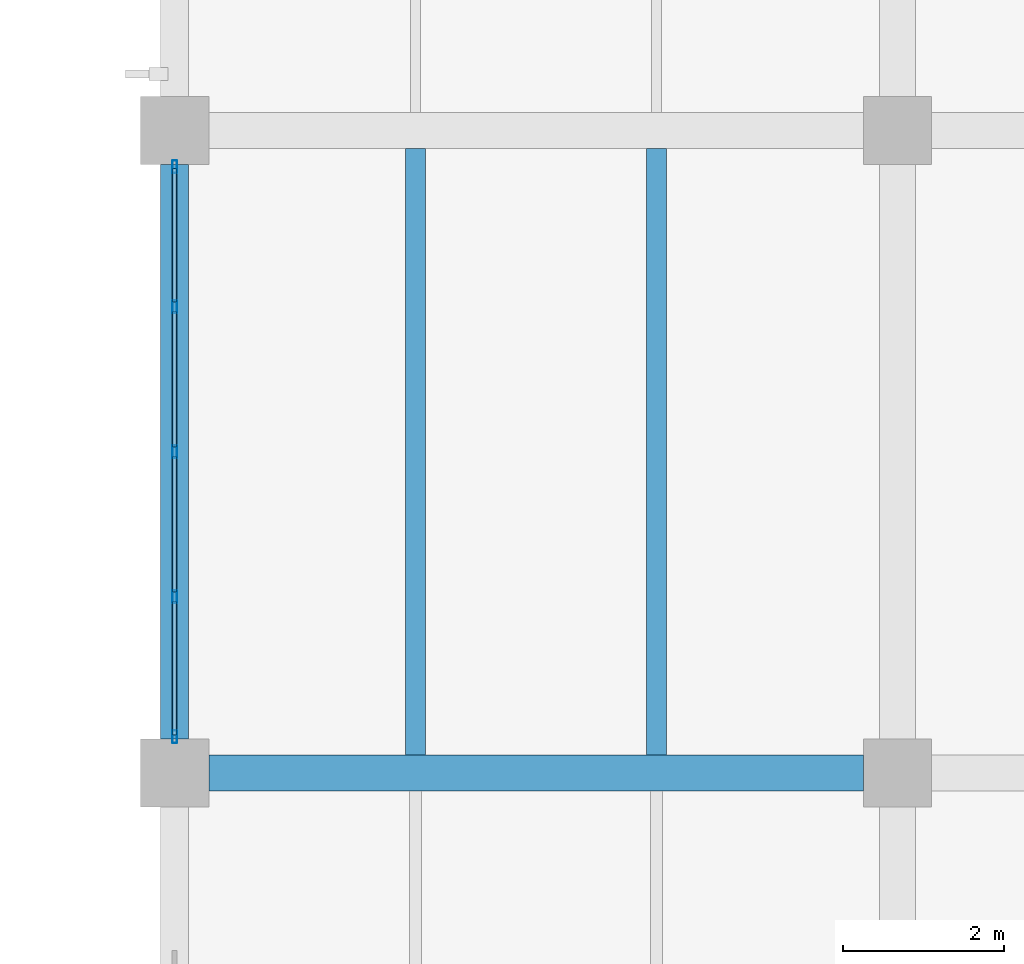
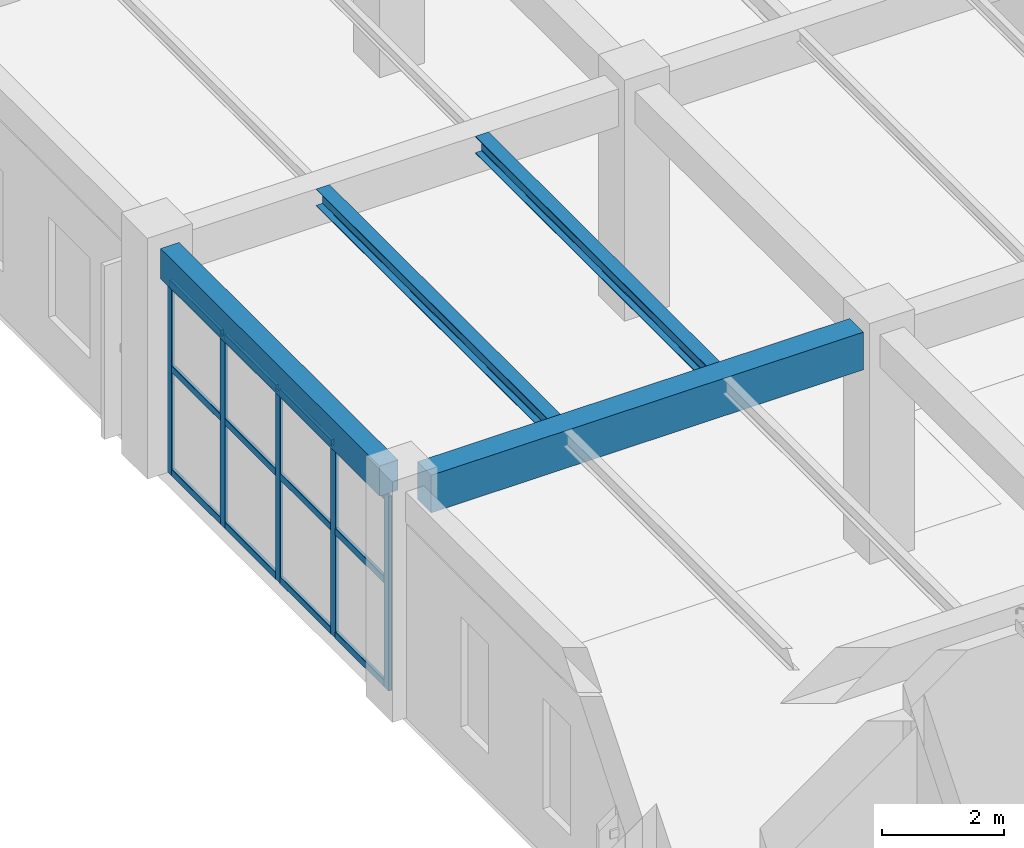
# One storey, part 126 of 178: 17 members, 4 beams, 1 element without a shape of its own.
"""IFC4 building model written with IfcOpenShell, lengths in metres."""

from ifc_helpers import new_model, si_unit, derived_unit, direction, frame, origin, origin_2d, place, context, subcontext, project, spatial, rectangle, hollow_rectangle, i_section, extrude, material, material_profile, profile_set, type_object, element, aggregate, save


model = new_model("IFC4")

# Units and contexts
model_context = context("Model", 3, precision=1e-05, world=origin(), true_north=direction((0.0, 1.0)))
body_context = subcontext(model_context, "Body", "Model", "MODEL_VIEW")
ifc_project = project(units=[si_unit("LENGTHUNIT", "METRE"), si_unit("AREAUNIT", "SQUARE_METRE"), si_unit("VOLUMEUNIT", "CUBIC_METRE"), si_unit("PLANEANGLEUNIT", "RADIAN"), si_unit("MASSUNIT", "GRAM", prefix="KILO"), derived_unit("THERMALTRANSMITTANCEUNIT", [(si_unit("MASSUNIT", "GRAM", prefix="KILO"), 1), (si_unit("TIMEUNIT", "SECOND"), -3), (si_unit("THERMODYNAMICTEMPERATUREUNIT", "KELVIN"), -1)])], contexts=[model_context])

# Site, building, storey
site_placement = place(None, origin())
site = spatial("IfcSite", under=ifc_project, at=site_placement, CompositionType="ELEMENT")
building_placement = place(site_placement, origin())
building = spatial("IfcBuilding", under=site, at=building_placement, Name="Zhenchuan Archway Interchange", CompositionType="ELEMENT")
storey_placement = place(building_placement, frame((0.0, 0.0, 5.39990234375)))
storey = spatial("IfcBuildingStorey", under=building, at=storey_placement, Name="L01", CompositionType="ELEMENT", Elevation=5.39990234375)

# Beam
ifc_material_1 = material(Name="Concrete C40", Category="concrete")
ifc_material_profile_1 = material_profile(ifc_material_1, rectangle(XDim=0.449951171875, YDim=0.75, at=origin_2d()), Name="RC 450x750")
ifc_profile_set_1 = profile_set([ifc_material_profile_1], Name="Concrete C40")
beam_type_1 = type_object("IfcBeamType", Name="BM_RC_450x750", PredefinedType="BEAM", material=ifc_profile_set_1)
beam_1_placement = place(storey_placement, frame((144.425048828125, 72.0, 4.135009765625), z_axis=(1.0, 0.0, 0.0), x_axis=(0.0, 1.0, 0.0)))
element("IfcBeam", 1, at=beam_1_placement, inside=storey, type_object=beam_type_1, Name="Beam K:17-18 (L01)", PredefinedType="BEAM", context=body_context, shape_type="SweptSolid", body=[
    extrude(rectangle(XDim=0.449951171875, YDim=0.75, at=origin_2d()), origin(), (0.0, 0.0, 1.0), 8.14990234375),
])

# Curtain wall, members
ifc_material_2 = material(Name="Anodised Aluminium", Category="aluminium")
curtain_wall_type = type_object("IfcCurtainWallType", Name="CW_UNIT_4", PredefinedType="NOTDEFINED", material=ifc_material_2)
curtain_wall_placement = place(storey_placement, origin())
curtain_wall = element("IfcCurtainWall", 2, at=curtain_wall_placement, inside=storey, type_object=curtain_wall_type, Name="Unitised curtain wall CW:L01:095", PredefinedType="NOTDEFINED")
ifc_material_profile_2 = material_profile(ifc_material_2, hollow_rectangle(XDim=0.06005859375, YDim=0.159912109375, WallThickness=0.00390625, InnerFilletRadius=0.00390625, OuterFilletRadius=0.008056640625, at=origin_2d()), Name="ALU 160x60x4")
ifc_profile_set_2 = profile_set([ifc_material_profile_2], Name="Anodised Aluminium")
member_type_1 = type_object("IfcMemberType", Name="CW_MUL_150", PredefinedType="MULLION", material=ifc_profile_set_2)
member_1_placement = place(storey_placement, frame((144.0, 72.452880859375, 0.0), z_axis=(0.0, 0.0, 1.0), x_axis=(1.0, 0.0, 0.0)))
member_1 = element("IfcMember", 3, at=member_1_placement, type_object=member_type_1, Name="CW:L01:095 mullion 0", PredefinedType="MULLION", context=body_context, shape_type="SweptSolid", body=[
    extrude(hollow_rectangle(XDim=0.06005859375, YDim=0.159912109375, WallThickness=0.00390625, InnerFilletRadius=0.00390625, OuterFilletRadius=0.008056640625, at=origin_2d()), origin(), (0.0, 0.0, 1.0), 3.880126953125),
])
member_2_placement = place(storey_placement, frame((144.0, 74.196533203125, 0.0), z_axis=(0.0, 0.0, 1.0), x_axis=(1.0, 0.0, 0.0)))
member_2 = element("IfcMember", 4, at=member_2_placement, type_object=member_type_1, Name="CW:L01:095 mullion 1", PredefinedType="MULLION", context=body_context, shape_type="SweptSolid", body=[
    extrude(hollow_rectangle(XDim=0.06005859375, YDim=0.159912109375, WallThickness=0.00390625, InnerFilletRadius=0.00390625, OuterFilletRadius=0.008056640625, at=origin_2d()), origin(), (0.0, 0.0, 1.0), 3.880126953125),
])
member_3_placement = place(storey_placement, frame((144.0, 76.0, 0.0), z_axis=(0.0, 0.0, 1.0), x_axis=(1.0, 0.0, 0.0)))
member_3 = element("IfcMember", 5, at=member_3_placement, type_object=member_type_1, Name="CW:L01:095 mullion 2", PredefinedType="MULLION", context=body_context, shape_type="SweptSolid", body=[
    extrude(hollow_rectangle(XDim=0.06005859375, YDim=0.159912109375, WallThickness=0.00390625, InnerFilletRadius=0.00390625, OuterFilletRadius=0.008056640625, at=origin_2d()), origin(), (0.0, 0.0, 1.0), 3.880126953125),
])
member_4_placement = place(storey_placement, frame((144.0, 77.803466796875, 0.0), z_axis=(0.0, 0.0, 1.0), x_axis=(1.0, 0.0, 0.0)))
member_4 = element("IfcMember", 6, at=member_4_placement, type_object=member_type_1, Name="CW:L01:095 mullion 3", PredefinedType="MULLION", context=body_context, shape_type="SweptSolid", body=[
    extrude(hollow_rectangle(XDim=0.06005859375, YDim=0.159912109375, WallThickness=0.00390625, InnerFilletRadius=0.00390625, OuterFilletRadius=0.008056640625, at=origin_2d()), origin(), (0.0, 0.0, 1.0), 3.880126953125),
])
member_5_placement = place(storey_placement, frame((144.0, 79.547119140625, 0.0), z_axis=(0.0, 0.0, 1.0), x_axis=(1.0, 0.0, 0.0)))
member_5 = element("IfcMember", 7, at=member_5_placement, type_object=member_type_1, Name="CW:L01:095 mullion 4", PredefinedType="MULLION", context=body_context, shape_type="SweptSolid", body=[
    extrude(hollow_rectangle(XDim=0.06005859375, YDim=0.159912109375, WallThickness=0.00390625, InnerFilletRadius=0.00390625, OuterFilletRadius=0.008056640625, at=origin_2d()), origin(), (0.0, 0.0, 1.0), 3.880126953125),
])
ifc_material_profile_3 = material_profile(ifc_material_2, hollow_rectangle(XDim=0.06005859375, YDim=0.139892578125, WallThickness=0.00341796875, InnerFilletRadius=0.00341796875, OuterFilletRadius=0.007080078125, at=origin_2d()), Name="ALU 140x60x3.5")
ifc_profile_set_3 = profile_set([ifc_material_profile_3], Name="Anodised Aluminium")
member_type_2 = type_object("IfcMemberType", Name="CW_TRN_140", PredefinedType="USERDEFINED", material=ifc_profile_set_3)
member_6_placement = place(storey_placement, frame((144.0, 72.472900390625, 0.06005859375), z_axis=(0.0, 1.0, 0.0), x_axis=(-1.0, 0.0, 0.0)))
member_6 = element("IfcMember", 8, at=member_6_placement, type_object=member_type_2, Name="CW:L01:095 transom 0-1", ObjectType="TRANSOM", PredefinedType="USERDEFINED", context=body_context, shape_type="SweptSolid", body=[
    extrude(hollow_rectangle(XDim=0.06005859375, YDim=0.139892578125, WallThickness=0.00341796875, InnerFilletRadius=0.00341796875, OuterFilletRadius=0.007080078125, at=origin_2d()), origin(), (0.0, 0.0, 1.0), 1.66357421875),
])
member_7_placement = place(storey_placement, frame((144.0, 72.472900390625, 2.123046875), z_axis=(0.0, 1.0, 0.0), x_axis=(-1.0, 0.0, 0.0)))
member_7 = element("IfcMember", 9, at=member_7_placement, type_object=member_type_2, Name="CW:L01:095 transom 0-2", ObjectType="TRANSOM", PredefinedType="USERDEFINED", context=body_context, shape_type="SweptSolid", body=[
    extrude(hollow_rectangle(XDim=0.06005859375, YDim=0.139892578125, WallThickness=0.00341796875, InnerFilletRadius=0.00341796875, OuterFilletRadius=0.007080078125, at=origin_2d()), origin(), (0.0, 0.0, 1.0), 1.66357421875),
])
member_8_placement = place(storey_placement, frame((144.0, 72.472900390625, 3.800048828125), z_axis=(0.0, 1.0, 0.0), x_axis=(-1.0, 0.0, 0.0)))
member_8 = element("IfcMember", 10, at=member_8_placement, type_object=member_type_2, Name="CW:L01:095 transom 0-3", ObjectType="TRANSOM", PredefinedType="USERDEFINED", context=body_context, shape_type="SweptSolid", body=[
    extrude(hollow_rectangle(XDim=0.06005859375, YDim=0.139892578125, WallThickness=0.00341796875, InnerFilletRadius=0.00341796875, OuterFilletRadius=0.007080078125, at=origin_2d()), origin(), (0.0, 0.0, 1.0), 1.66357421875),
])
member_9_placement = place(storey_placement, frame((144.0, 74.256591796875, 0.06005859375), z_axis=(0.0, 1.0, 0.0), x_axis=(-1.0, 0.0, 0.0)))
member_9 = element("IfcMember", 11, at=member_9_placement, type_object=member_type_2, Name="CW:L01:095 transom 1-1", ObjectType="TRANSOM", PredefinedType="USERDEFINED", context=body_context, shape_type="SweptSolid", body=[
    extrude(hollow_rectangle(XDim=0.06005859375, YDim=0.139892578125, WallThickness=0.00341796875, InnerFilletRadius=0.00341796875, OuterFilletRadius=0.007080078125, at=origin_2d()), origin(), (0.0, 0.0, 1.0), 1.683349609375),
])
member_10_placement = place(storey_placement, frame((144.0, 74.256591796875, 2.123046875), z_axis=(0.0, 1.0, 0.0), x_axis=(-1.0, 0.0, 0.0)))
member_10 = element("IfcMember", 12, at=member_10_placement, type_object=member_type_2, Name="CW:L01:095 transom 1-2", ObjectType="TRANSOM", PredefinedType="USERDEFINED", context=body_context, shape_type="SweptSolid", body=[
    extrude(hollow_rectangle(XDim=0.06005859375, YDim=0.139892578125, WallThickness=0.00341796875, InnerFilletRadius=0.00341796875, OuterFilletRadius=0.007080078125, at=origin_2d()), origin(), (0.0, 0.0, 1.0), 1.683349609375),
])
member_11_placement = place(storey_placement, frame((144.0, 74.256591796875, 3.800048828125), z_axis=(0.0, 1.0, 0.0), x_axis=(-1.0, 0.0, 0.0)))
member_11 = element("IfcMember", 13, at=member_11_placement, type_object=member_type_2, Name="CW:L01:095 transom 1-3", ObjectType="TRANSOM", PredefinedType="USERDEFINED", context=body_context, shape_type="SweptSolid", body=[
    extrude(hollow_rectangle(XDim=0.06005859375, YDim=0.139892578125, WallThickness=0.00341796875, InnerFilletRadius=0.00341796875, OuterFilletRadius=0.007080078125, at=origin_2d()), origin(), (0.0, 0.0, 1.0), 1.683349609375),
])
member_12_placement = place(storey_placement, frame((144.0, 76.06005859375, 0.06005859375), z_axis=(0.0, 1.0, 0.0), x_axis=(-1.0, 0.0, 0.0)))
member_12 = element("IfcMember", 14, at=member_12_placement, type_object=member_type_2, Name="CW:L01:095 transom 2-1", ObjectType="TRANSOM", PredefinedType="USERDEFINED", context=body_context, shape_type="SweptSolid", body=[
    extrude(hollow_rectangle(XDim=0.06005859375, YDim=0.139892578125, WallThickness=0.00341796875, InnerFilletRadius=0.00341796875, OuterFilletRadius=0.007080078125, at=origin_2d()), origin(), (0.0, 0.0, 1.0), 1.683349609375),
])
member_13_placement = place(storey_placement, frame((144.0, 76.06005859375, 2.123046875), z_axis=(0.0, 1.0, 0.0), x_axis=(-1.0, 0.0, 0.0)))
member_13 = element("IfcMember", 15, at=member_13_placement, type_object=member_type_2, Name="CW:L01:095 transom 2-2", ObjectType="TRANSOM", PredefinedType="USERDEFINED", context=body_context, shape_type="SweptSolid", body=[
    extrude(hollow_rectangle(XDim=0.06005859375, YDim=0.139892578125, WallThickness=0.00341796875, InnerFilletRadius=0.00341796875, OuterFilletRadius=0.007080078125, at=origin_2d()), origin(), (0.0, 0.0, 1.0), 1.683349609375),
])
member_14_placement = place(storey_placement, frame((144.0, 76.06005859375, 3.800048828125), z_axis=(0.0, 1.0, 0.0), x_axis=(-1.0, 0.0, 0.0)))
member_14 = element("IfcMember", 16, at=member_14_placement, type_object=member_type_2, Name="CW:L01:095 transom 2-3", ObjectType="TRANSOM", PredefinedType="USERDEFINED", context=body_context, shape_type="SweptSolid", body=[
    extrude(hollow_rectangle(XDim=0.06005859375, YDim=0.139892578125, WallThickness=0.00341796875, InnerFilletRadius=0.00341796875, OuterFilletRadius=0.007080078125, at=origin_2d()), origin(), (0.0, 0.0, 1.0), 1.683349609375),
])
member_15_placement = place(storey_placement, frame((144.0, 77.863525390625, 0.06005859375), z_axis=(0.0, 1.0, 0.0), x_axis=(-1.0, 0.0, 0.0)))
member_15 = element("IfcMember", 17, at=member_15_placement, type_object=member_type_2, Name="CW:L01:095 transom 3-1", ObjectType="TRANSOM", PredefinedType="USERDEFINED", context=body_context, shape_type="SweptSolid", body=[
    extrude(hollow_rectangle(XDim=0.06005859375, YDim=0.139892578125, WallThickness=0.00341796875, InnerFilletRadius=0.00341796875, OuterFilletRadius=0.007080078125, at=origin_2d()), origin(), (0.0, 0.0, 1.0), 1.66357421875),
])
member_16_placement = place(storey_placement, frame((144.0, 77.863525390625, 2.123046875), z_axis=(0.0, 1.0, 0.0), x_axis=(-1.0, 0.0, 0.0)))
member_16 = element("IfcMember", 18, at=member_16_placement, type_object=member_type_2, Name="CW:L01:095 transom 3-2", ObjectType="TRANSOM", PredefinedType="USERDEFINED", context=body_context, shape_type="SweptSolid", body=[
    extrude(hollow_rectangle(XDim=0.06005859375, YDim=0.139892578125, WallThickness=0.00341796875, InnerFilletRadius=0.00341796875, OuterFilletRadius=0.007080078125, at=origin_2d()), origin(), (0.0, 0.0, 1.0), 1.66357421875),
])
member_17_placement = place(storey_placement, frame((144.0, 77.863525390625, 3.800048828125), z_axis=(0.0, 1.0, 0.0), x_axis=(-1.0, 0.0, 0.0)))
member_17 = element("IfcMember", 19, at=member_17_placement, type_object=member_type_2, Name="CW:L01:095 transom 3-3", ObjectType="TRANSOM", PredefinedType="USERDEFINED", context=body_context, shape_type="SweptSolid", body=[
    extrude(hollow_rectangle(XDim=0.06005859375, YDim=0.139892578125, WallThickness=0.00341796875, InnerFilletRadius=0.00341796875, OuterFilletRadius=0.007080078125, at=origin_2d()), origin(), (0.0, 0.0, 1.0), 1.66357421875),
])
aggregate(curtain_wall, [member_1, member_2, member_3, member_4, member_5, member_6, member_7, member_8, member_9, member_10, member_11, member_12, member_13, member_14, member_15, member_16, member_17])

# Beams
ifc_material_3 = material(Name="Steel Q355", Category="steel")
ifc_material_profile_4 = material_profile(ifc_material_3, i_section(OverallWidth=0.25, OverallDepth=0.340087890625, WebThickness=0.009033203125, FlangeThickness=0.013916015625, FilletRadius=0.01806640625, at=origin_2d()), Name="HM 340x250")
ifc_profile_set_4 = profile_set([ifc_material_profile_4], Name="Steel Q355")
beam_type_2 = type_object("IfcBeamType", Name="JST_STL_HM340", PredefinedType="JOIST", material=ifc_profile_set_4)
for number, where, z_axis, x_axis, name in (
    (20, (147.0, 72.22509765625, 4.340087890625), (0.0, 1.0, 0.0), (-1.0, 0.0, 0.0), "Secondary joist 17-18/K-L #1 (L01)"),
    (21, (150.0, 72.22509765625, 4.340087890625), (0.0, 1.0, 0.0), (-1.0, 0.0, 0.0), "Secondary joist 17-18/K-L #2 (L01)"),
):
    element("IfcBeam", number, at=place(storey_placement, frame(where, z_axis=z_axis, x_axis=x_axis)), inside=storey, type_object=beam_type_2, Name=name, PredefinedType="JOIST", context=body_context, shape_type="SweptSolid", body=[
        extrude(i_section(OverallWidth=0.25, OverallDepth=0.340087890625, WebThickness=0.009033203125, FlangeThickness=0.013916015625, FilletRadius=0.01806640625, at=origin_2d()), origin(), (0.0, 0.0, 1.0), 7.5498046875),
    ])
ifc_material_profile_5 = material_profile(ifc_material_1, rectangle(XDim=0.35009765625, YDim=0.60009765625, at=origin_2d()), Name="RC 350x600")
ifc_profile_set_5 = profile_set([ifc_material_profile_5], Name="Concrete C40")
beam_type_3 = type_object("IfcBeamType", Name="SP_RC_350x600", PredefinedType="SPANDREL", material=ifc_profile_set_5)
beam_2_placement = place(storey_placement, frame((144.0, 72.425048828125, 4.210205078125), z_axis=(0.0, 1.0, 0.0), x_axis=(-1.0, 0.0, 0.0)))
element("IfcBeam", 22, at=beam_2_placement, inside=storey, type_object=beam_type_3, Name="Beam 17:K-L (L01)", PredefinedType="SPANDREL", context=body_context, shape_type="SweptSolid", body=[
    extrude(rectangle(XDim=0.35009765625, YDim=0.60009765625, at=origin_2d()), origin(), (0.0, 0.0, 1.0), 7.14990234375),
])

save(model, "model.ifc")
